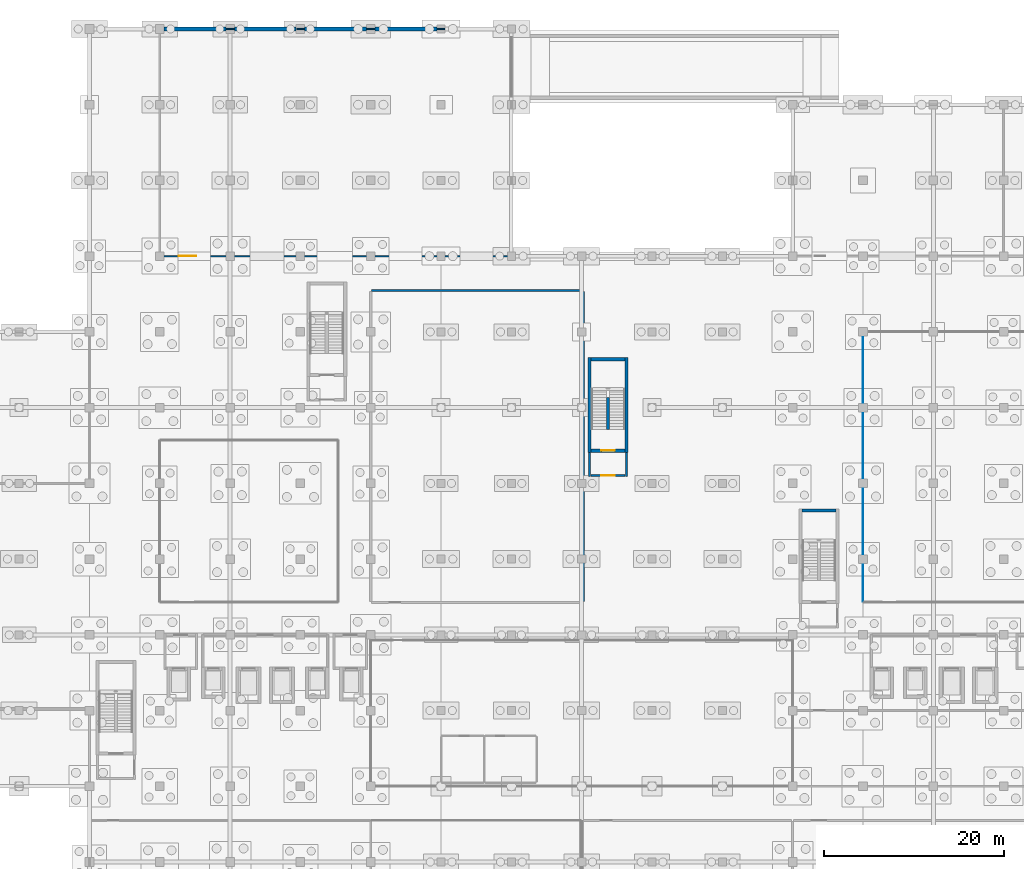
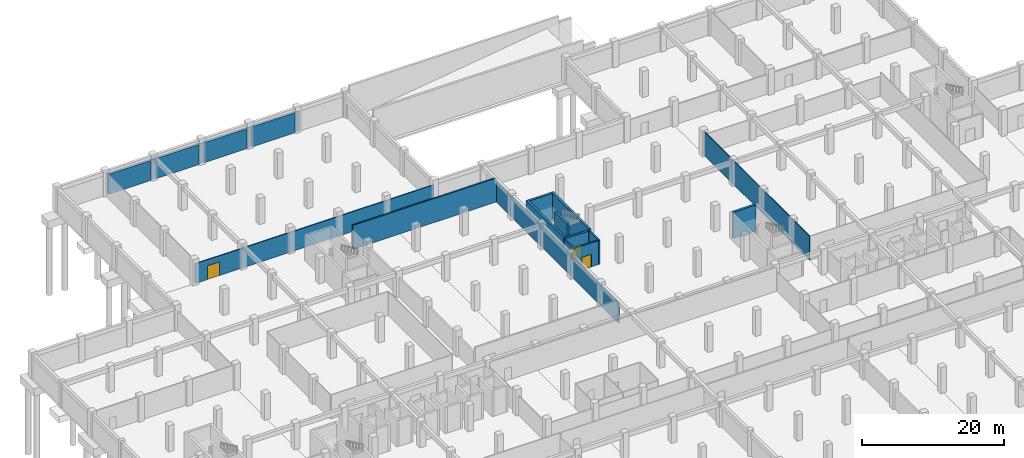
# One storey, part 19 of 30: 21 walls, 3 doors, 3 openings.
"""IFC4 building model written with IfcOpenShell, lengths in metres."""

from ifc_helpers import new_model, si_unit, direction, frame, frame_2d, origin, place, context, subcontext, project, spatial, rectangle, extrude, material, layer, layer_set, type_object, element, fill, save


model = new_model("IFC4")

# Units and contexts
model_context = context("Model", 3, precision=1e-05, world=origin(), true_north=direction((0.0, 1.0)))
body_context = subcontext(model_context, "Body", "Model", "MODEL_VIEW")
ifc_project = project(units=[si_unit("LENGTHUNIT", "METRE"), si_unit("AREAUNIT", "SQUARE_METRE"), si_unit("VOLUMEUNIT", "CUBIC_METRE"), si_unit("PLANEANGLEUNIT", "RADIAN"), si_unit("MASSUNIT", "GRAM", prefix="KILO"), si_unit("THERMODYNAMICTEMPERATUREUNIT", "KELVIN"), si_unit("POWERUNIT", "WATT")], contexts=[model_context])

# Site, building, storey
site_placement = place(None, origin())
site = spatial("IfcSite", under=ifc_project, at=site_placement, CompositionType="ELEMENT")
building_placement = place(site_placement, origin())
building = spatial("IfcBuilding", under=site, at=building_placement, Name="Srebrne Nadtorze General Hospital", CompositionType="ELEMENT")
storey_placement = place(building_placement, frame((0.0, 0.0, -4.5)))
storey = spatial("IfcBuildingStorey", under=building, at=storey_placement, Name="B1", CompositionType="ELEMENT", Elevation=-4.5)

# Walls
ifc_material_1 = material(Name="Concrete C35/45", Category="concrete")
ifc_layer_1 = layer(ifc_material_1, 0.39990234375)
ifc_layer_set_1 = layer_set([ifc_layer_1], Name="Concrete C35/45")
wall_type_1 = type_object("IfcWallType", Name="Basement retaining wall 400", PredefinedType="SOLIDWALL", material=ifc_layer_set_1)
for number, where, z_axis, x_axis, name in (
    (1, (31.675048828125, 117.60009765625, 0.0), (0.0, 0.0, 1.0), (1.0, 0.0, 0.0), "Exterior wall WL-ENV-B1-0040"),
    (2, (39.47509765625, 117.60009765625, 0.0), (0.0, 0.0, 1.0), (1.0, 0.0, 0.0), "Exterior wall WL-ENV-B1-0041"),
):
    element("IfcWall", number, at=place(storey_placement, frame(where, z_axis=z_axis, x_axis=x_axis)), inside=storey, type_object=wall_type_1, Name=name, PredefinedType="SOLIDWALL", context=body_context, shape_type="SweptSolid", body=[
        extrude(rectangle(XDim=6.849853515625, YDim=0.39990234375, at=frame_2d((3.4248046875, 0.0))), origin(), (0.0, 0.0, 1.0), 3.449951171875),
    ])
wall_1_placement = place(storey_placement, frame((47.27490234375, 117.60009765625, 0.0), z_axis=(0.0, 0.0, 1.0), x_axis=(1.0, 0.0, 0.0)))
element("IfcWall", 3, at=wall_1_placement, inside=storey, type_object=wall_type_1, Name="Exterior wall WL-ENV-B1-0042", PredefinedType="SOLIDWALL", context=body_context, shape_type="SweptSolid", body=[
    extrude(rectangle(XDim=6.85009765625, YDim=0.39990234375, at=frame_2d((3.425048828125, 0.0))), origin(), (0.0, 0.0, 1.0), 3.449951171875),
])
wall_2_placement = place(storey_placement, frame((55.074951171875, 117.60009765625, 0.0), z_axis=(0.0, 0.0, 1.0), x_axis=(1.0, 0.0, 0.0)))
element("IfcWall", 4, at=wall_2_placement, inside=storey, type_object=wall_type_1, Name="Exterior wall WL-ENV-B1-0043", PredefinedType="SOLIDWALL", context=body_context, shape_type="SweptSolid", body=[
    extrude(rectangle(XDim=6.875, YDim=0.39990234375, at=frame_2d((3.4375, 0.0))), origin(), (0.0, 0.0, 1.0), 3.449951171875),
])

# Wall, opening, door
ifc_material_2 = material(Name="Gypsum Healthcare Partition")
ifc_layer_2 = layer(ifc_material_2, 0.139892578125)
ifc_layer_set_2 = layer_set([ifc_layer_2], Name="Gypsum Healthcare Partition")
wall_type_2 = type_object("IfcWallType", Name="Clinical partition 140", PredefinedType="PARTITIONING", material=ifc_layer_set_2)
wall_3_placement = place(storey_placement, frame((31.284912109375, 92.39990234375, 0.0), z_axis=(0.0, 0.0, 1.0), x_axis=(1.0, 0.0, 0.0)))
wall_3 = element("IfcWall", 5, at=wall_3_placement, inside=storey, type_object=wall_type_2, Name="Staff Underground Parking Garage wall WL-INT-B1-1196", PredefinedType="PARTITIONING", context=body_context, shape_type="SweptSolid", body=[
    extrude(rectangle(XDim=38.830078125, YDim=0.139892578125, at=frame_2d((19.4150390625, 0.0))), origin(), (0.0, 0.0, 1.0), 3.39990234375),
])
opening_1_placement = place(wall_3_placement, frame((1.9990234375, 0.0, 0.0)))
opening_1 = element("IfcOpeningElement", 6, at=opening_1_placement, cuts=wall_3, Name="Opening D-B1-0166", PredefinedType="OPENING", context=body_context, shape_type="SweptSolid", body=[
    extrude(rectangle(XDim=1.949951171875, YDim=2.35009765625, at=frame_2d((0.97509765625, 1.175048828125))), frame((0.0, 0.08203125, 0.0), z_axis=(0.0, -1.0, 0.0), x_axis=(1.0, 0.0, 0.0)), (0.0, 0.0, 1.0), 0.163818359375),
])
ifc_material_3 = material(Name="Anodised Aluminium", Category="aluminium")
door_type_1 = type_object("IfcDoorType", Name="Double leaf door 1950x2350", OperationType="DOUBLE_DOOR_SINGLE_SWING", PredefinedType="DOOR", material=ifc_material_3)
door_1_placement = place(opening_1_placement, origin())
door_1 = element("IfcDoor", 7, at=door_1_placement, inside=storey, type_object=door_type_1, Name="Staff Underground Parking Garage door D-B1-0166", OperationType="DOUBLE_DOOR_SINGLE_SWING", OverallHeight=2.35009765625, OverallWidth=1.949951171875, PredefinedType="DOOR", context=body_context, shape_type="SweptSolid", body=[
    extrude(rectangle(XDim=1.949951171875, YDim=2.35009765625, at=frame_2d((0.97509765625, 1.175048828125))), frame((0.0, 0.02490234375, 0.0), z_axis=(0.0, -1.0, 0.0), x_axis=(1.0, 0.0, 0.0)), (0.0, 0.0, 1.0), 0.050048828125),
])
fill(opening_1, door_1)

# Walls
for number, where, z_axis, x_axis, name in (
    (8, (38.56494140625, 117.60009765625, 0.0), (0.0, 0.0, 1.0), (1.0, 0.0, 0.0), "Staff Underground Parking Garage wall WL-INT-B1-1197"),
    (9, (46.364990234375, 117.60009765625, 0.0), (0.0, 0.0, 1.0), (1.0, 0.0, 0.0), "Staff Underground Parking Garage wall WL-INT-B1-1198"),
):
    element("IfcWall", number, at=place(storey_placement, frame(where, z_axis=z_axis, x_axis=x_axis)), inside=storey, type_object=wall_type_2, Name=name, PredefinedType="PARTITIONING", context=body_context, shape_type="SweptSolid", body=[
        extrude(rectangle(XDim=0.8701171875, YDim=0.139892578125, at=frame_2d((0.43505859375, 0.0))), origin(), (0.0, 0.0, 1.0), 3.39990234375),
    ])
wall_4_placement = place(storey_placement, frame((54.1650390625, 117.60009765625, 0.0), z_axis=(0.0, 0.0, 1.0), x_axis=(1.0, 0.0, 0.0)))
element("IfcWall", 10, at=wall_4_placement, inside=storey, type_object=wall_type_2, Name="Staff Underground Parking Garage wall WL-INT-B1-1199", PredefinedType="PARTITIONING", context=body_context, shape_type="SweptSolid", body=[
    extrude(rectangle(XDim=0.869873046875, YDim=0.139892578125, at=frame_2d((0.43505859375, 0.0))), origin(), (0.0, 0.0, 1.0), 3.39990234375),
])
wall_5_placement = place(storey_placement, frame((61.989990234375, 117.60009765625, 0.0), z_axis=(0.0, 0.0, 1.0), x_axis=(1.0, 0.0, 0.0)))
element("IfcWall", 11, at=wall_5_placement, inside=storey, type_object=wall_type_2, Name="Staff Underground Parking Garage wall WL-INT-B1-1200", PredefinedType="PARTITIONING", context=body_context, shape_type="SweptSolid", body=[
    extrude(rectangle(XDim=0.820068359375, YDim=0.139892578125, at=frame_2d((0.41015625, 0.0))), origin(), (0.0, 0.0, 1.0), 3.39990234375),
])
ifc_material_4 = material(Name="Gypsum Healthcare Partition")
ifc_layer_3 = layer(ifc_material_4, 0.239990234375)
ifc_layer_set_3 = layer_set([ifc_layer_3], Name="Gypsum Healthcare Partition")
wall_type_3 = type_object("IfcWallType", Name="Corridor fire wall 240", PredefinedType="STANDARD", material=ifc_layer_set_3)
for number, where, z_axis, x_axis, name in (
    (12, (78.875, 67.955078125, 0.0), (0.0, 0.0, 1.0), (0.0, 1.0, 0.0), "Fire lobby wall ST-07 WL-INT-B1-0053"),
    (13, (82.97509765625, 67.955078125, 0.0), (0.0, 0.0, 1.0), (0.0, 1.0, 0.0), "Fire lobby wall ST-07 WL-INT-B1-0054"),
):
    element("IfcWall", number, at=place(storey_placement, frame(where, z_axis=z_axis, x_axis=x_axis)), inside=storey, type_object=wall_type_3, Name=name, PredefinedType="STANDARD", context=body_context, shape_type="SweptSolid", body=[
        extrude(rectangle(XDim=2.69482421875, YDim=0.239990234375, at=frame_2d((1.347412109375, 0.0))), origin(), (0.0, 0.0, 1.0), 4.14990234375),
    ])

# Wall, opening, door
wall_6_placement = place(storey_placement, frame((79.050048828125, 68.074951171875, 0.0), z_axis=(0.0, 0.0, 1.0), x_axis=(1.0, 0.0, 0.0)))
wall_6 = element("IfcWall", 14, at=wall_6_placement, inside=storey, type_object=wall_type_3, Name="Fire lobby entry wall ST-07 WL-INT-B1-0055", PredefinedType="STANDARD", context=body_context, shape_type="SweptSolid", body=[
    extrude(rectangle(XDim=3.75, YDim=0.239990234375, at=frame_2d((1.875, 0.0))), origin(), (0.0, 0.0, 1.0), 4.14990234375),
])
opening_2_placement = place(wall_6_placement, frame((1.125, 0.0, 0.0)))
opening_2 = element("IfcOpeningElement", 15, at=opening_2_placement, cuts=wall_6, Name="Opening D-B1-0014", PredefinedType="OPENING", context=body_context, shape_type="SweptSolid", body=[
    extrude(rectangle(XDim=1.5, YDim=2.199951171875, at=frame_2d((0.75, 1.10009765625))), frame((0.0, 0.1318359375, 0.0), z_axis=(0.0, -1.0, 0.0), x_axis=(1.0, 0.0, 0.0)), (0.0, 0.0, 1.0), 0.263916015625),
])
ifc_material_5 = material(Name="Anodised Aluminium", Category="aluminium")
door_type_2 = type_object("IfcDoorType", Name="Double leaf door 1500x2200", OperationType="DOUBLE_DOOR_SINGLE_SWING", PredefinedType="DOOR", material=ifc_material_5)
door_2_placement = place(opening_2_placement, origin())
door_2 = element("IfcDoor", 16, at=door_2_placement, inside=storey, type_object=door_type_2, Name="Fire lobby door ST-07 D-B1-0014", OperationType="DOUBLE_DOOR_SINGLE_SWING", OverallHeight=2.199951171875, OverallWidth=1.5, PredefinedType="DOOR", context=body_context, shape_type="SweptSolid", body=[
    extrude(rectangle(XDim=1.5, YDim=2.199951171875, at=frame_2d((0.75, 1.10009765625))), frame((0.0, 0.02490234375, 0.0), z_axis=(0.0, -1.0, 0.0), x_axis=(1.0, 0.0, 0.0)), (0.0, 0.0, 1.0), 0.050048828125),
])
fill(opening_2, door_2)

# Walls
wall_7_placement = place(storey_placement, frame((54.7099609375, 88.60009765625, 0.0), z_axis=(0.0, 0.0, 1.0), x_axis=(1.0, 0.0, 0.0)))
element("IfcWall", 17, at=wall_7_placement, inside=storey, type_object=wall_type_3, Name="Central Sterile Supply Department wall WL-INT-B1-1205", PredefinedType="STANDARD", context=body_context, shape_type="SweptSolid", body=[
    extrude(rectangle(XDim=23.35498046875, YDim=0.239990234375, at=frame_2d((11.677490234375, 0.0))), origin(), (0.0, 0.0, 1.0), 4.1298828125),
])
wall_8_placement = place(storey_placement, frame((78.175048828125, 54.110107421875, 0.0), z_axis=(0.0, 0.0, 1.0), x_axis=(0.0, 1.0, 0.0)))
element("IfcWall", 18, at=wall_8_placement, inside=storey, type_object=wall_type_3, Name="Central Sterile Supply Department wall WL-INT-B1-1207", PredefinedType="STANDARD", context=body_context, shape_type="SweptSolid", body=[
    extrude(rectangle(XDim=34.3798828125, YDim=0.239990234375, at=frame_2d((17.18994140625, 0.0))), origin(), (0.0, 0.0, 1.0), 3.39990234375),
])
ifc_material_6 = material(Name="Gypsum Healthcare Partition")
ifc_layer_4 = layer(ifc_material_6, 0.10009765625)
ifc_layer_set_4 = layer_set([ifc_layer_4], Name="Gypsum Healthcare Partition")
wall_type_4 = type_object("IfcWallType", Name="Shaft lining wall 100", PredefinedType="PARTITIONING", material=ifc_layer_set_4)
wall_9_placement = place(storey_placement, frame((109.199951171875, 54.0849609375, 0.0), z_axis=(0.0, 0.0, 1.0), x_axis=(0.0, 1.0, 0.0)))
element("IfcWall", 19, at=wall_9_placement, inside=storey, type_object=wall_type_4, Name="Main Medium-Voltage Switchroom wall WL-INT-B1-1250", PredefinedType="PARTITIONING", context=body_context, shape_type="SweptSolid", body=[
    extrude(rectangle(XDim=29.830078125, YDim=0.10009765625, at=frame_2d((14.9150390625, 0.0))), origin(), (0.0, 0.0, 1.0), 4.1298828125),
])
ifc_material_7 = material(Name="Concrete C40/50", Category="concrete")
ifc_layer_5 = layer(ifc_material_7, 0.35009765625)
ifc_layer_set_5 = layer_set([ifc_layer_5], Name="Concrete C40/50")
wall_type_5 = type_object("IfcWallType", Name="Shear core wall 350", PredefinedType="SHEAR", material=ifc_layer_set_5)
wall_10_placement = place(storey_placement, frame((102.449951171875, 64.175048828125, 0.0), z_axis=(0.0, 0.0, 1.0), x_axis=(1.0, 0.0, 0.0)))
element("IfcWall", 20, at=wall_10_placement, inside=storey, type_object=wall_type_5, Name="Stair core wall ST-03 WL-INT-B1-0019", PredefinedType="SHEAR", context=body_context, shape_type="SweptSolid", body=[
    extrude(rectangle(XDim=3.75, YDim=0.35009765625, at=frame_2d((1.875, 0.0))), origin(), (0.0, 0.0, 1.0), 4.5),
])
for number, where, z_axis, x_axis, name in (
    (21, (78.875, 70.64990234375, 0.0), (0.0, 0.0, 1.0), (0.0, 1.0, 0.0), "Stair core wall ST-07 WL-INT-B1-0049"),
    (22, (82.97509765625, 70.64990234375, 0.0), (0.0, 0.0, 1.0), (0.0, 1.0, 0.0), "Stair core wall ST-07 WL-INT-B1-0050"),
):
    element("IfcWall", number, at=place(storey_placement, frame(where, z_axis=z_axis, x_axis=x_axis)), inside=storey, type_object=wall_type_5, Name=name, PredefinedType="SHEAR", context=body_context, shape_type="SweptSolid", body=[
        extrude(rectangle(XDim=10.5, YDim=0.35009765625, at=frame_2d((5.25, 0.0))), origin(), (0.0, 0.0, 1.0), 4.5),
    ])
wall_11_placement = place(storey_placement, frame((79.050048828125, 80.97509765625, 0.0), z_axis=(0.0, 0.0, 1.0), x_axis=(1.0, 0.0, 0.0)))
element("IfcWall", 23, at=wall_11_placement, inside=storey, type_object=wall_type_5, Name="Stair core wall ST-07 WL-INT-B1-0051", PredefinedType="SHEAR", context=body_context, shape_type="SweptSolid", body=[
    extrude(rectangle(XDim=3.75, YDim=0.35009765625, at=frame_2d((1.875, 0.0))), origin(), (0.0, 0.0, 1.0), 4.5),
])

# Wall, opening, door
wall_12_placement = place(storey_placement, frame((79.050048828125, 70.824951171875, 0.0), z_axis=(0.0, 0.0, 1.0), x_axis=(1.0, 0.0, 0.0)))
wall_12 = element("IfcWall", 24, at=wall_12_placement, inside=storey, type_object=wall_type_5, Name="Stairwell fire wall ST-07 WL-INT-B1-0052", PredefinedType="SHEAR", context=body_context, shape_type="SweptSolid", body=[
    extrude(rectangle(XDim=3.75, YDim=0.35009765625, at=frame_2d((1.875, 0.0))), origin(), (0.0, 0.0, 1.0), 4.14990234375),
])
opening_3_placement = place(wall_12_placement, frame((1.125, 0.0, 0.0)))
opening_3 = element("IfcOpeningElement", 25, at=opening_3_placement, cuts=wall_12, Name="Opening D-B1-0013", PredefinedType="OPENING", context=body_context, shape_type="SweptSolid", body=[
    extrude(rectangle(XDim=1.5, YDim=2.199951171875, at=frame_2d((0.75, 1.10009765625))), frame((0.0, 0.18701171875, 0.0), z_axis=(0.0, -1.0, 0.0), x_axis=(1.0, 0.0, 0.0)), (0.0, 0.0, 1.0), 0.3740234375),
])
door_3_placement = place(opening_3_placement, origin())
door_3 = element("IfcDoor", 26, at=door_3_placement, inside=storey, type_object=door_type_2, Name="Protected stair door ST-07 D-B1-0013", OperationType="DOUBLE_DOOR_SINGLE_SWING", OverallHeight=2.199951171875, OverallWidth=1.5, PredefinedType="DOOR", context=body_context, shape_type="SweptSolid", body=[
    extrude(rectangle(XDim=1.5, YDim=2.199951171875, at=frame_2d((0.75, 1.10009765625))), frame((0.0, 0.02490234375, 0.0), z_axis=(0.0, -1.0, 0.0), x_axis=(1.0, 0.0, 0.0)), (0.0, 0.0, 1.0), 0.050048828125),
])
fill(opening_3, door_3)

# Wall
wall_13_placement = place(storey_placement, frame((80.925048828125, 73.199951171875, 0.0), z_axis=(0.0, 0.0, 1.0), x_axis=(0.0, 1.0, 0.0)))
element("IfcWall", 27, at=wall_13_placement, inside=storey, type_object=wall_type_5, Name="Stair spine wall ST-07 WL-INT-B1-0056", PredefinedType="SHEAR", context=body_context, shape_type="SweptSolid", body=[
    extrude(rectangle(XDim=3.52001953125, YDim=0.35009765625, at=frame_2d((1.760009765625, 0.0))), origin(), (0.0, 0.0, 1.0), 4.5),
])

save(model, "model.ifc")
